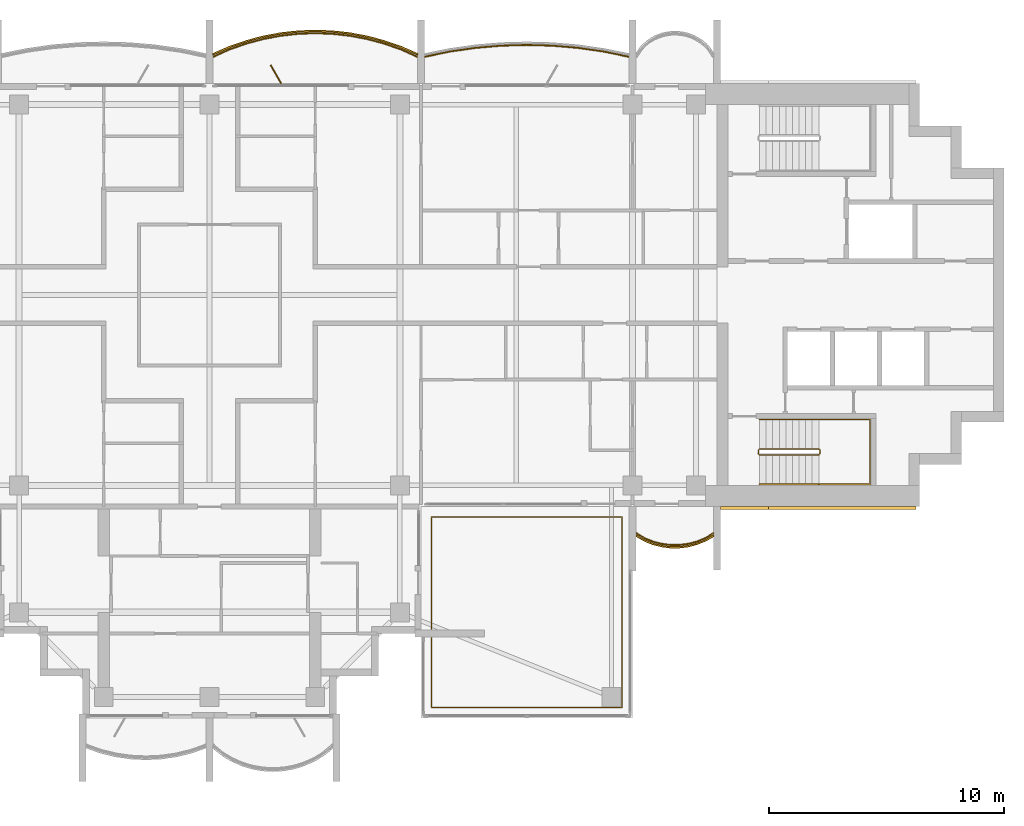
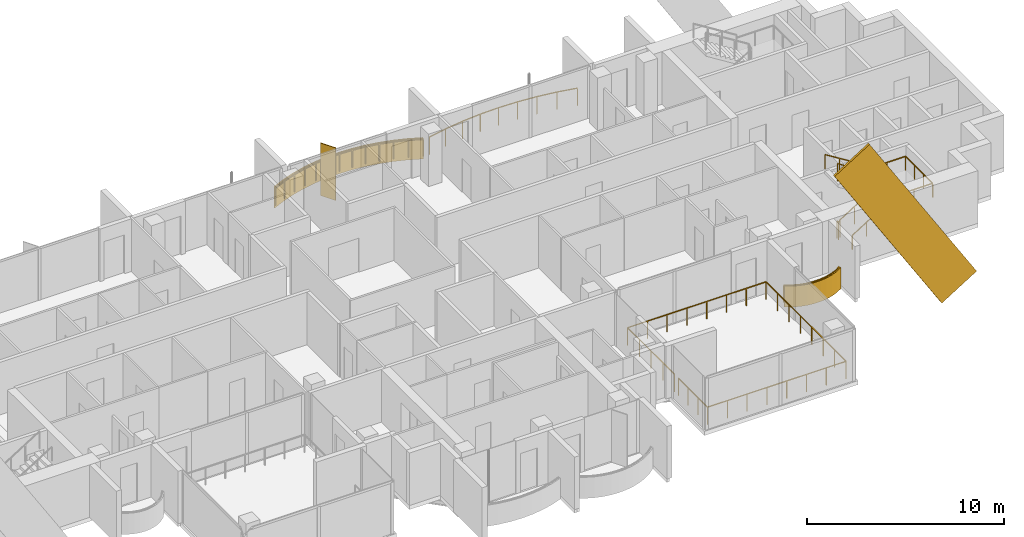
# One storey, part 15 of 16: 6 railings, 3 coverings, 1 shading device.
"""IFC4 building model written with IfcOpenShell, lengths in metres."""

from ifc_helpers import new_model, si_unit, direction, frame, origin, origin_2d, place, context, subcontext, project, spatial, polyline, rectangle, outline, extrude, material, layer, layer_set, material_profile, profile_set, type_object, element, save


model = new_model("IFC4")

# Units and contexts
model_context = context("Model", 3, precision=1e-05, world=origin(), true_north=direction((0.0, 1.0)))
body_context = subcontext(model_context, "Body", "Model", "MODEL_VIEW")
ifc_project = project(units=[si_unit("LENGTHUNIT", "METRE"), si_unit("AREAUNIT", "SQUARE_METRE"), si_unit("VOLUMEUNIT", "CUBIC_METRE"), si_unit("PLANEANGLEUNIT", "RADIAN"), si_unit("MASSUNIT", "GRAM", prefix="KILO")], contexts=[model_context])

# Site, building, storey
site_placement = place(None, origin())
site = spatial("IfcSite", under=ifc_project, at=site_placement, CompositionType="ELEMENT")
building_placement = place(site_placement, origin())
building = spatial("IfcBuilding", under=site, at=building_placement, Name="Perihelion Cross Residences", CompositionType="ELEMENT")
storey_placement = place(building_placement, frame((0.0, 0.0, 260.5)))
storey = spatial("IfcBuildingStorey", under=building, at=storey_placement, Name="L66", CompositionType="ELEMENT", Elevation=260.5)

# Coverings
ifc_material_1 = material(Name="Bronze anodised aluminium", Category="aluminium")
ifc_layer_1 = layer(ifc_material_1, 0.070068359375)
ifc_layer_set_1 = layer_set([ifc_layer_1], Name="Balcony fascia 1300")
covering_type_1 = type_object("IfcCoveringType", Name="Balcony fascia 1300", PredefinedType="CLADDING", material=ifc_layer_set_1)
covering_1_placement = place(storey_placement, frame((0.0, 0.0, -0.199951171875)))
element("IfcCovering", 1, at=covering_1_placement, inside=storey, type_object=covering_type_1, Name="Fascia BF1 L66 north side east bay 1", PredefinedType="CLADDING", context=body_context, shape_type="SweptSolid", body=[
    extrude(outline(polyline([(8.150634765625, 10.582275390625), (7.42041015625, 10.83544921875), (6.690185546875, 11.028076171875), (5.960205078125, 11.1630859375), (5.22998046875, 11.243408203125), (4.5, 11.27001953125), (3.77001953125, 11.243408203125), (3.039794921875, 11.1630859375), (2.309814453125, 11.028076171875), (1.57958984375, 10.83544921875), (0.849365234375, 10.582275390625), (0.14990234375, 10.2763671875), (0.14990234375, 10.199951171875), (0.875, 10.51708984375), (1.60009765625, 10.7685546875), (2.324951171875, 10.959716796875), (3.050048828125, 11.093994140625), (3.77490234375, 11.173583984375), (4.5, 11.199951171875), (5.22509765625, 11.173583984375), (5.949951171875, 11.093994140625), (6.675048828125, 10.959716796875), (7.39990234375, 10.7685546875), (8.125, 10.51708984375), (8.85009765625, 10.199951171875), (8.85009765625, 10.2763671875), (8.150634765625, 10.582275390625)])), origin(), (0.0, 0.0, 1.0), 1.300048828125),
])
covering_2_placement = place(storey_placement, frame((0.0, 0.0, -0.199951171875)))
element("IfcCovering", 2, at=covering_2_placement, inside=storey, type_object=covering_type_1, Name="Fascia BF1 L66 east side south bay 2", PredefinedType="CLADDING", context=body_context, shape_type="SweptSolid", body=[
    extrude(outline(polyline([(18.486328125, -10.4716796875), (18.861572265625, -10.62158203125), (19.237060546875, -10.717529296875), (19.6123046875, -10.76416015625), (19.987548828125, -10.76416015625), (20.363037109375, -10.717529296875), (20.73828125, -10.62158203125), (21.11376953125, -10.4716796875), (21.449951171875, -10.280517578125), (21.449951171875, -10.199951171875), (21.083251953125, -10.40869140625), (20.716552734375, -10.55517578125), (20.35009765625, -10.648681640625), (19.9833984375, -10.6943359375), (19.61669921875, -10.6943359375), (19.25, -10.648681640625), (18.88330078125, -10.55517578125), (18.5166015625, -10.40869140625), (18.14990234375, -10.199951171875), (18.14990234375, -10.280517578125), (18.486328125, -10.4716796875)])), origin(), (0.0, 0.0, 1.0), 1.300048828125),
])

# Railings
ifc_material_2 = material(Name="Bronze anodised aluminium", Category="aluminium")
railing_type_1 = type_object("IfcRailingType", Name="Balcony guard 1100", PredefinedType="GUARDRAIL", material=ifc_material_2)
railing_1_placement = place(storey_placement, frame((17.824951171875, 10.139892578125, 0.0)))
element("IfcRailing", 3, at=railing_1_placement, inside=storey, type_object=railing_type_1, Name="Guard GU1 L66 east side north bay 2 balcony", PredefinedType="GUARDRAIL", context=body_context, shape_type="SweptSolid", body=[
    extrude(rectangle(XDim=0.048095703125, YDim=0.048095703125, at=origin_2d()), frame((0.0, 0.0, 1.076171875), z_axis=(-0.979144816647, 0.203163549961, 0.0), x_axis=(-0.203163549961, -0.979144816647, 0.0)), (0.0, 0.0, 1.0), 1.085205078125),
    extrude(rectangle(XDim=0.048095703125, YDim=0.048095703125, at=origin_2d()), frame((-1.0625, 0.220458984375, 1.076171875), z_axis=(-0.98989608354, 0.141794724135, 0.0), x_axis=(-0.141794724135, -0.98989608354, 0.0)), (0.0, 0.0, 1.0), 1.098388671875),
    extrude(rectangle(XDim=0.048095703125, YDim=0.048095703125, at=origin_2d()), frame((-2.14990234375, 0.376220703125, 1.076171875), z_axis=(-0.996362942492, 0.085210837506, 0.0), x_axis=(-0.085210837506, -0.996362942492, 0.0)), (0.0, 0.0, 1.0), 1.091552734375),
    extrude(rectangle(XDim=0.048095703125, YDim=0.048095703125, at=origin_2d()), frame((-3.237548828125, 0.46923828125, 1.076171875), z_axis=(-0.999600101203, 0.028277865458, 0.0), x_axis=(-0.028277865458, -0.999600101203, 0.0)), (0.0, 0.0, 1.0), 1.087890625),
    extrude(rectangle(XDim=0.048095703125, YDim=0.048095703125, at=origin_2d()), frame((-4.324951171875, 0.5, 1.076171875), z_axis=(-0.999600101203, -0.028277865458, 0.0), x_axis=(0.028277865458, -0.999600101203, 0.0)), (0.0, 0.0, 1.0), 1.087890625),
    extrude(rectangle(XDim=0.048095703125, YDim=0.048095703125, at=origin_2d()), frame((-5.412353515625, 0.46923828125, 1.076171875), z_axis=(-0.996362942492, -0.085210837506, 0.0), x_axis=(0.085210837506, -0.996362942492, 0.0)), (0.0, 0.0, 1.0), 1.091552734375),
    extrude(rectangle(XDim=0.048095703125, YDim=0.048095703125, at=origin_2d()), frame((-6.5, 0.376220703125, 1.076171875), z_axis=(-0.98989608354, -0.141794724135, 0.0), x_axis=(0.141794724135, -0.98989608354, 0.0)), (0.0, 0.0, 1.0), 1.098388671875),
    extrude(rectangle(XDim=0.048095703125, YDim=0.048095703125, at=origin_2d()), frame((-7.58740234375, 0.220458984375, 1.076171875), z_axis=(-0.979144816647, -0.203163549961, 0.0), x_axis=(0.203163549961, -0.979144816647, 0.0)), (0.0, 0.0, 1.0), 1.085205078125),
    extrude(rectangle(XDim=0.0419921875, YDim=0.0419921875, at=origin_2d()), origin(), (0.0, 0.0, 1.0), 1.052001953125),
    extrude(rectangle(XDim=0.0419921875, YDim=0.0419921875, at=origin_2d()), frame((-1.0625, 0.220458984375, 0.0)), (0.0, 0.0, 1.0), 1.052001953125),
    extrude(rectangle(XDim=0.0419921875, YDim=0.0419921875, at=origin_2d()), frame((-2.14990234375, 0.376220703125, 0.0)), (0.0, 0.0, 1.0), 1.052001953125),
    extrude(rectangle(XDim=0.0419921875, YDim=0.0419921875, at=origin_2d()), frame((-3.237548828125, 0.46923828125, 0.0)), (0.0, 0.0, 1.0), 1.052001953125),
    extrude(rectangle(XDim=0.0419921875, YDim=0.0419921875, at=origin_2d()), frame((-4.324951171875, 0.5, 0.0)), (0.0, 0.0, 1.0), 1.052001953125),
    extrude(rectangle(XDim=0.0419921875, YDim=0.0419921875, at=origin_2d()), frame((-5.412353515625, 0.46923828125, 0.0)), (0.0, 0.0, 1.0), 1.052001953125),
    extrude(rectangle(XDim=0.0419921875, YDim=0.0419921875, at=origin_2d()), frame((-6.5, 0.376220703125, 0.0)), (0.0, 0.0, 1.0), 1.052001953125),
    extrude(rectangle(XDim=0.0419921875, YDim=0.0419921875, at=origin_2d()), frame((-7.58740234375, 0.220458984375, 0.0)), (0.0, 0.0, 1.0), 1.052001953125),
    extrude(rectangle(XDim=0.0419921875, YDim=0.0419921875, at=origin_2d()), frame((-8.64990234375, 0.0, 0.0)), (0.0, 0.0, 1.0), 1.052001953125),
])
railing_2_placement = place(storey_placement, frame((8.824951171875, 10.139892578125, 0.0)))
element("IfcRailing", 4, at=railing_2_placement, inside=storey, type_object=railing_type_1, Name="Guard GU1 L66 north side east bay 1 balcony", PredefinedType="GUARDRAIL", context=body_context, shape_type="SweptSolid", body=[
    extrude(rectangle(XDim=0.048095703125, YDim=0.048095703125, at=origin_2d()), frame((0.0, 0.0, 1.076171875), z_axis=(-0.910866309087, 0.412701547089, 0.0), x_axis=(-0.412701547089, -0.910866309087, 0.0)), (0.0, 0.0, 1.0), 0.7685546875),
    extrude(rectangle(XDim=0.048095703125, YDim=0.048095703125, at=origin_2d()), frame((-0.699951171875, 0.317138671875, 1.076171875), z_axis=(-0.944796812452, 0.327656807012, 0.0), x_axis=(-0.327656807012, -0.944796812452, 0.0)), (0.0, 0.0, 1.0), 0.767578125),
    extrude(rectangle(XDim=0.048095703125, YDim=0.048095703125, at=origin_2d()), frame((-1.425048828125, 0.568603515625, 1.076171875), z_axis=(-0.966939404945, 0.255006249266, 0.0), x_axis=(-0.255006249266, -0.966939404945, 0.0)), (0.0, 0.0, 1.0), 0.749755859375),
    extrude(rectangle(XDim=0.048095703125, YDim=0.048095703125, at=origin_2d()), frame((-2.14990234375, 0.759765625, 1.076171875), z_axis=(-0.983282004984, 0.182089260182, 0.0), x_axis=(-0.182089260182, -0.983282004984, 0.0)), (0.0, 0.0, 1.0), 0.7373046875),
    extrude(rectangle(XDim=0.048095703125, YDim=0.048095703125, at=origin_2d()), frame((-2.875, 0.89404296875, 1.076171875), z_axis=(-0.994025805622, 0.109145305703, 0.0), x_axis=(-0.109145305703, -0.994025805622, 0.0)), (0.0, 0.0, 1.0), 0.729248046875),
    extrude(rectangle(XDim=0.048095703125, YDim=0.048095703125, at=origin_2d()), frame((-3.599853515625, 0.9736328125, 1.076171875), z_axis=(-0.999339497946, 0.036339618107, 0.0), x_axis=(-0.036339618107, -0.999339497946, 0.0)), (0.0, 0.0, 1.0), 0.7255859375),
    extrude(rectangle(XDim=0.048095703125, YDim=0.048095703125, at=origin_2d()), frame((-4.324951171875, 1.0, 1.076171875), z_axis=(-0.999339497946, -0.036339618107, 0.0), x_axis=(0.036339618107, -0.999339497946, 0.0)), (0.0, 0.0, 1.0), 0.7255859375),
    extrude(rectangle(XDim=0.048095703125, YDim=0.048095703125, at=origin_2d()), frame((-5.050048828125, 0.9736328125, 1.076171875), z_axis=(-0.994025805622, -0.109145305703, 0.0), x_axis=(0.109145305703, -0.994025805622, 0.0)), (0.0, 0.0, 1.0), 0.729248046875),
    extrude(rectangle(XDim=0.048095703125, YDim=0.048095703125, at=origin_2d()), frame((-5.77490234375, 0.89404296875, 1.076171875), z_axis=(-0.983282004984, -0.182089260182, 0.0), x_axis=(0.182089260182, -0.983282004984, 0.0)), (0.0, 0.0, 1.0), 0.7373046875),
    extrude(rectangle(XDim=0.048095703125, YDim=0.048095703125, at=origin_2d()), frame((-6.5, 0.759765625, 1.076171875), z_axis=(-0.966939404945, -0.255006249266, 0.0), x_axis=(0.255006249266, -0.966939404945, 0.0)), (0.0, 0.0, 1.0), 0.749755859375),
    extrude(rectangle(XDim=0.048095703125, YDim=0.048095703125, at=origin_2d()), frame((-7.224853515625, 0.568603515625, 1.076171875), z_axis=(-0.944796812452, -0.327656807012, 0.0), x_axis=(0.327656807012, -0.944796812452, 0.0)), (0.0, 0.0, 1.0), 0.767578125),
    extrude(rectangle(XDim=0.048095703125, YDim=0.048095703125, at=origin_2d()), frame((-7.949951171875, 0.317138671875, 1.076171875), z_axis=(-0.910866309087, -0.412701547089, 0.0), x_axis=(0.412701547089, -0.910866309087, 0.0)), (0.0, 0.0, 1.0), 0.7685546875),
    extrude(rectangle(XDim=0.0419921875, YDim=0.0419921875, at=origin_2d()), origin(), (0.0, 0.0, 1.0), 1.052001953125),
    extrude(rectangle(XDim=0.0419921875, YDim=0.0419921875, at=origin_2d()), frame((-0.699951171875, 0.317138671875, 0.0)), (0.0, 0.0, 1.0), 1.052001953125),
    extrude(rectangle(XDim=0.0419921875, YDim=0.0419921875, at=origin_2d()), frame((-1.425048828125, 0.568603515625, 0.0)), (0.0, 0.0, 1.0), 1.052001953125),
    extrude(rectangle(XDim=0.0419921875, YDim=0.0419921875, at=origin_2d()), frame((-2.14990234375, 0.759765625, 0.0)), (0.0, 0.0, 1.0), 1.052001953125),
    extrude(rectangle(XDim=0.0419921875, YDim=0.0419921875, at=origin_2d()), frame((-2.875, 0.89404296875, 0.0)), (0.0, 0.0, 1.0), 1.052001953125),
    extrude(rectangle(XDim=0.0419921875, YDim=0.0419921875, at=origin_2d()), frame((-3.599853515625, 0.9736328125, 0.0)), (0.0, 0.0, 1.0), 1.052001953125),
    extrude(rectangle(XDim=0.0419921875, YDim=0.0419921875, at=origin_2d()), frame((-4.324951171875, 1.0, 0.0)), (0.0, 0.0, 1.0), 1.052001953125),
    extrude(rectangle(XDim=0.0419921875, YDim=0.0419921875, at=origin_2d()), frame((-5.050048828125, 0.9736328125, 0.0)), (0.0, 0.0, 1.0), 1.052001953125),
    extrude(rectangle(XDim=0.0419921875, YDim=0.0419921875, at=origin_2d()), frame((-5.77490234375, 0.89404296875, 0.0)), (0.0, 0.0, 1.0), 1.052001953125),
    extrude(rectangle(XDim=0.0419921875, YDim=0.0419921875, at=origin_2d()), frame((-6.5, 0.759765625, 0.0)), (0.0, 0.0, 1.0), 1.052001953125),
    extrude(rectangle(XDim=0.0419921875, YDim=0.0419921875, at=origin_2d()), frame((-7.224853515625, 0.568603515625, 0.0)), (0.0, 0.0, 1.0), 1.052001953125),
    extrude(rectangle(XDim=0.0419921875, YDim=0.0419921875, at=origin_2d()), frame((-7.949951171875, 0.317138671875, 0.0)), (0.0, 0.0, 1.0), 1.052001953125),
    extrude(rectangle(XDim=0.0419921875, YDim=0.0419921875, at=origin_2d()), frame((-8.64990234375, 0.0, 0.0)), (0.0, 0.0, 1.0), 1.052001953125),
])
railing_3_placement = place(storey_placement, frame((18.175048828125, -10.139892578125, 0.0)))
element("IfcRailing", 5, at=railing_3_placement, inside=storey, type_object=railing_type_1, Name="Guard GU1 L66 east side south bay 2 balcony", PredefinedType="GUARDRAIL", context=body_context, shape_type="SweptSolid", body=[
    extrude(rectangle(XDim=0.048095703125, YDim=0.048095703125, at=origin_2d()), frame((0.0, 0.0, 1.076171875), z_axis=(0.853266756821, -0.52147467983, 0.0), x_axis=(0.52147467983, 0.853266756821, 0.0)), (0.0, 0.0, 1.0), 0.400390625),
    extrude(rectangle(XDim=0.048095703125, YDim=0.048095703125, at=origin_2d()), frame((0.341552734375, -0.208740234375, 1.076171875), z_axis=(0.928647151248, -0.37096424151, 0.0), x_axis=(0.37096424151, 0.928647151248, 0.0)), (0.0, 0.0, 1.0), 0.394775390625),
    extrude(rectangle(XDim=0.048095703125, YDim=0.048095703125, at=origin_2d()), frame((0.708251953125, -0.355224609375, 1.076171875), z_axis=(0.968993337782, -0.247086849781, 0.0), x_axis=(0.247086849781, 0.968993337782, 0.0)), (0.0, 0.0, 1.0), 0.37841796875),
    extrude(rectangle(XDim=0.048095703125, YDim=0.048095703125, at=origin_2d()), frame((1.074951171875, -0.44873046875, 1.076171875), z_axis=(0.992338742457, -0.123546834114, 0.0), x_axis=(0.123546834114, 0.992338742457, 0.0)), (0.0, 0.0, 1.0), 0.36962890625),
    extrude(rectangle(XDim=0.048095703125, YDim=0.048095703125, at=origin_2d()), frame((1.441650390625, -0.494384765625, 1.076171875), z_axis=(1.0, 0.0, 0.0), x_axis=(0.0, 1.0, 0.0)), (0.0, 0.0, 1.0), 0.36669921875),
    extrude(rectangle(XDim=0.048095703125, YDim=0.048095703125, at=origin_2d()), frame((1.808349609375, -0.494384765625, 1.076171875), z_axis=(0.992338742457, 0.123546834114, 0.0), x_axis=(-0.123546834114, 0.992338742457, 0.0)), (0.0, 0.0, 1.0), 0.36962890625),
    extrude(rectangle(XDim=0.048095703125, YDim=0.048095703125, at=origin_2d()), frame((2.175048828125, -0.44873046875, 1.076171875), z_axis=(0.968953914071, 0.247241405123, 0.0), x_axis=(-0.247241405123, 0.968953914071, 0.0)), (0.0, 0.0, 1.0), 0.378173828125),
    extrude(rectangle(XDim=0.048095703125, YDim=0.048095703125, at=origin_2d()), frame((2.54150390625, -0.355224609375, 1.076171875), z_axis=(0.928647151248, 0.37096424151, 0.0), x_axis=(-0.37096424151, 0.928647151248, 0.0)), (0.0, 0.0, 1.0), 0.394775390625),
    extrude(rectangle(XDim=0.048095703125, YDim=0.048095703125, at=origin_2d()), frame((2.908203125, -0.208740234375, 1.076171875), z_axis=(0.853432484338, 0.521203410078, 0.0), x_axis=(-0.521203410078, 0.853432484338, 0.0)), (0.0, 0.0, 1.0), 0.400390625),
    extrude(rectangle(XDim=0.0419921875, YDim=0.0419921875, at=origin_2d()), origin(), (0.0, 0.0, 1.0), 1.052001953125),
    extrude(rectangle(XDim=0.0419921875, YDim=0.0419921875, at=origin_2d()), frame((0.341552734375, -0.208740234375, 0.0)), (0.0, 0.0, 1.0), 1.052001953125),
    extrude(rectangle(XDim=0.0419921875, YDim=0.0419921875, at=origin_2d()), frame((0.708251953125, -0.355224609375, 0.0)), (0.0, 0.0, 1.0), 1.052001953125),
    extrude(rectangle(XDim=0.0419921875, YDim=0.0419921875, at=origin_2d()), frame((1.074951171875, -0.44873046875, 0.0)), (0.0, 0.0, 1.0), 1.052001953125),
    extrude(rectangle(XDim=0.0419921875, YDim=0.0419921875, at=origin_2d()), frame((1.441650390625, -0.494384765625, 0.0)), (0.0, 0.0, 1.0), 1.052001953125),
    extrude(rectangle(XDim=0.0419921875, YDim=0.0419921875, at=origin_2d()), frame((1.808349609375, -0.494384765625, 0.0)), (0.0, 0.0, 1.0), 1.052001953125),
    extrude(rectangle(XDim=0.0419921875, YDim=0.0419921875, at=origin_2d()), frame((2.175048828125, -0.44873046875, 0.0)), (0.0, 0.0, 1.0), 1.052001953125),
    extrude(rectangle(XDim=0.0419921875, YDim=0.0419921875, at=origin_2d()), frame((2.54150390625, -0.355224609375, 0.0)), (0.0, 0.0, 1.0), 1.052001953125),
    extrude(rectangle(XDim=0.0419921875, YDim=0.0419921875, at=origin_2d()), frame((2.908203125, -0.208740234375, 0.0)), (0.0, 0.0, 1.0), 1.052001953125),
    extrude(rectangle(XDim=0.0419921875, YDim=0.0419921875, at=origin_2d()), frame((3.25, 0.0, 0.0)), (0.0, 0.0, 1.0), 1.052001953125),
])
railing_4_placement = place(storey_placement, frame((9.449951171875, -14.2099609375, 0.0)))
element("IfcRailing", 6, at=railing_4_placement, inside=storey, type_object=railing_type_1, Name="Guard GU1 L66 pocket south-east 1", PredefinedType="GUARDRAIL", context=body_context, shape_type="SweptSolid", body=[
    extrude(rectangle(XDim=0.048095703125, YDim=0.048095703125, at=origin_2d()), frame((0.0, 0.0, 1.076171875), z_axis=(0.0, 1.0, 0.0), x_axis=(-1.0, 0.0, 0.0)), (0.0, 0.0, 1.0), 4.760009765625),
    extrude(rectangle(XDim=0.048095703125, YDim=0.048095703125, at=origin_2d()), frame((0.0, 4.760009765625, 1.076171875), z_axis=(1.0, 0.0, 0.0), x_axis=(0.0, 1.0, 0.0)), (0.0, 0.0, 1.0), 8.10009765625),
    extrude(rectangle(XDim=0.048095703125, YDim=0.048095703125, at=origin_2d()), frame((8.10009765625, 4.760009765625, 1.076171875), z_axis=(0.0, -1.0, 0.0), x_axis=(1.0, 0.0, 0.0)), (0.0, 0.0, 1.0), 8.10009765625),
    extrude(rectangle(XDim=0.048095703125, YDim=0.048095703125, at=origin_2d()), frame((8.10009765625, -3.340087890625, 1.076171875), z_axis=(-1.0, 0.0, 0.0), x_axis=(0.0, -1.0, 0.0)), (0.0, 0.0, 1.0), 8.10009765625),
    extrude(rectangle(XDim=0.048095703125, YDim=0.048095703125, at=origin_2d()), frame((0.0, -3.340087890625, 1.076171875), z_axis=(0.0, 1.0, 0.0), x_axis=(-1.0, 0.0, 0.0)), (0.0, 0.0, 1.0), 2.9599609375),
    extrude(rectangle(XDim=0.0419921875, YDim=0.0419921875, at=origin_2d()), origin(), (0.0, 0.0, 1.0), 1.052001953125),
    extrude(rectangle(XDim=0.0419921875, YDim=0.0419921875, at=origin_2d()), frame((0.0, 1.18994140625, 0.0)), (0.0, 0.0, 1.0), 1.052001953125),
    extrude(rectangle(XDim=0.0419921875, YDim=0.0419921875, at=origin_2d()), frame((0.0, 2.3798828125, 0.0)), (0.0, 0.0, 1.0), 1.052001953125),
    extrude(rectangle(XDim=0.0419921875, YDim=0.0419921875, at=origin_2d()), frame((0.0, 3.570068359375, 0.0)), (0.0, 0.0, 1.0), 1.052001953125),
    extrude(rectangle(XDim=0.0419921875, YDim=0.0419921875, at=origin_2d()), frame((0.0, 4.760009765625, 0.0)), (0.0, 0.0, 1.0), 1.052001953125),
    extrude(rectangle(XDim=0.0419921875, YDim=0.0419921875, at=origin_2d()), frame((1.1572265625, 4.760009765625, 0.0)), (0.0, 0.0, 1.0), 1.052001953125),
    extrude(rectangle(XDim=0.0419921875, YDim=0.0419921875, at=origin_2d()), frame((2.314208984375, 4.760009765625, 0.0)), (0.0, 0.0, 1.0), 1.052001953125),
    extrude(rectangle(XDim=0.0419921875, YDim=0.0419921875, at=origin_2d()), frame((3.471435546875, 4.760009765625, 0.0)), (0.0, 0.0, 1.0), 1.052001953125),
    extrude(rectangle(XDim=0.0419921875, YDim=0.0419921875, at=origin_2d()), frame((4.628662109375, 4.760009765625, 0.0)), (0.0, 0.0, 1.0), 1.052001953125),
    extrude(rectangle(XDim=0.0419921875, YDim=0.0419921875, at=origin_2d()), frame((5.785888671875, 4.760009765625, 0.0)), (0.0, 0.0, 1.0), 1.052001953125),
    extrude(rectangle(XDim=0.0419921875, YDim=0.0419921875, at=origin_2d()), frame((6.94287109375, 4.760009765625, 0.0)), (0.0, 0.0, 1.0), 1.052001953125),
    extrude(rectangle(XDim=0.0419921875, YDim=0.0419921875, at=origin_2d()), frame((8.10009765625, 4.760009765625, 0.0)), (0.0, 0.0, 1.0), 1.052001953125),
    extrude(rectangle(XDim=0.0419921875, YDim=0.0419921875, at=origin_2d()), frame((8.10009765625, 3.602783203125, 0.0)), (0.0, 0.0, 1.0), 1.052001953125),
    extrude(rectangle(XDim=0.0419921875, YDim=0.0419921875, at=origin_2d()), frame((8.10009765625, 2.44580078125, 0.0)), (0.0, 0.0, 1.0), 1.052001953125),
    extrude(rectangle(XDim=0.0419921875, YDim=0.0419921875, at=origin_2d()), frame((8.10009765625, 1.28857421875, 0.0)), (0.0, 0.0, 1.0), 1.052001953125),
    extrude(rectangle(XDim=0.0419921875, YDim=0.0419921875, at=origin_2d()), frame((8.10009765625, 0.13134765625, 0.0)), (0.0, 0.0, 1.0), 1.052001953125),
    extrude(rectangle(XDim=0.0419921875, YDim=0.0419921875, at=origin_2d()), frame((8.10009765625, -1.02587890625, 0.0)), (0.0, 0.0, 1.0), 1.052001953125),
    extrude(rectangle(XDim=0.0419921875, YDim=0.0419921875, at=origin_2d()), frame((8.10009765625, -2.182861328125, 0.0)), (0.0, 0.0, 1.0), 1.052001953125),
    extrude(rectangle(XDim=0.0419921875, YDim=0.0419921875, at=origin_2d()), frame((8.10009765625, -3.340087890625, 0.0)), (0.0, 0.0, 1.0), 1.052001953125),
    extrude(rectangle(XDim=0.0419921875, YDim=0.0419921875, at=origin_2d()), frame((6.94287109375, -3.340087890625, 0.0)), (0.0, 0.0, 1.0), 1.052001953125),
    extrude(rectangle(XDim=0.0419921875, YDim=0.0419921875, at=origin_2d()), frame((5.785888671875, -3.340087890625, 0.0)), (0.0, 0.0, 1.0), 1.052001953125),
    extrude(rectangle(XDim=0.0419921875, YDim=0.0419921875, at=origin_2d()), frame((4.628662109375, -3.340087890625, 0.0)), (0.0, 0.0, 1.0), 1.052001953125),
    extrude(rectangle(XDim=0.0419921875, YDim=0.0419921875, at=origin_2d()), frame((3.471435546875, -3.340087890625, 0.0)), (0.0, 0.0, 1.0), 1.052001953125),
    extrude(rectangle(XDim=0.0419921875, YDim=0.0419921875, at=origin_2d()), frame((2.314208984375, -3.340087890625, 0.0)), (0.0, 0.0, 1.0), 1.052001953125),
    extrude(rectangle(XDim=0.0419921875, YDim=0.0419921875, at=origin_2d()), frame((1.1572265625, -3.340087890625, 0.0)), (0.0, 0.0, 1.0), 1.052001953125),
    extrude(rectangle(XDim=0.0419921875, YDim=0.0419921875, at=origin_2d()), frame((0.0, -3.340087890625, 0.0)), (0.0, 0.0, 1.0), 1.052001953125),
    extrude(rectangle(XDim=0.0419921875, YDim=0.0419921875, at=origin_2d()), frame((0.0, -2.353515625, 0.0)), (0.0, 0.0, 1.0), 1.052001953125),
    extrude(rectangle(XDim=0.0419921875, YDim=0.0419921875, at=origin_2d()), frame((0.0, -1.36669921875, 0.0)), (0.0, 0.0, 1.0), 1.052001953125),
    extrude(rectangle(XDim=0.0419921875, YDim=0.0419921875, at=origin_2d()), frame((0.0, -0.380126953125, 0.0)), (0.0, 0.0, 1.0), 1.052001953125),
])

# Covering
ifc_material_3 = material(Name="Bronze anodised aluminium", Category="aluminium")
ifc_material_profile = material_profile(ifc_material_3, rectangle(XDim=0.125, YDim=2.39990234375, at=origin_2d()), Name="Bronze cladding band 2400")
ifc_profile_set = profile_set([ifc_material_profile], Name="Bronze anodised aluminium")
covering_type_2 = type_object("IfcCoveringType", Name="Bronze cladding band 2400", PredefinedType="CLADDING", material=ifc_profile_set)
covering_3_placement = place(storey_placement, frame((29.0322265625, -9.0625, -3.47119140625), z_axis=(-0.529915403603, 0.0, 0.848050508534), x_axis=(0.0, -1.0, 0.0)))
element("IfcCovering", 7, at=covering_3_placement, inside=storey, type_object=covering_type_2, Name="Core cladding band, east core", PredefinedType="CLADDING", context=body_context, shape_type="SweptSolid", body=[
    extrude(rectangle(XDim=0.125, YDim=2.39990234375, at=origin_2d()), origin(), (0.0, 0.0, 1.0), 11.822021484375),
])

# Shading device
ifc_material_4 = material(Name="Bronze anodised aluminium", Category="aluminium")
ifc_layer_2 = layer(ifc_material_4, 0.050048828125)
ifc_layer_set_2 = layer_set([ifc_layer_2], Name="Bronze fin 900")
shading_device_type = type_object("IfcShadingDeviceType", Name="Bronze fin 900", PredefinedType="USERDEFINED", material=ifc_layer_set_2)
shading_device_placement = place(storey_placement, frame((2.824951171875, 9.3896484375, 0.0), z_axis=(0.0, 0.0, 1.0), x_axis=(-0.5, 0.866025403784, 0.0)))
element("IfcShadingDevice", 8, at=shading_device_placement, inside=storey, type_object=shading_device_type, Name="Fin FN1 L66 north side east bay 1", ObjectType="FIN", PredefinedType="USERDEFINED", context=body_context, shape_type="SweptSolid", body=[
    extrude(rectangle(XDim=0.89990234375, YDim=0.050048828125, at=origin_2d()), origin(), (0.0, 0.0, 1.0), 3.25),
])

# Railings
ifc_material_5 = material(Name="Stainless steel", Category="steel")
railing_type_2 = type_object("IfcRailingType", Name="Stair guard 1100", PredefinedType="GUARDRAIL", material=ifc_material_5)
railing_5_placement = place(storey_placement, frame((23.35009765625, -6.60009765625, 0.0)))
element("IfcRailing", 9, at=railing_5_placement, inside=storey, type_object=railing_type_2, Name="L66 ST-E2 stair guard 1", PredefinedType="GUARDRAIL", context=body_context, shape_type="SweptSolid", body=[
    extrude(rectangle(XDim=0.048095703125, YDim=0.048095703125, at=origin_2d()), frame((0.0, 0.0, 1.076171875), z_axis=(0.0, -1.0, 0.0), x_axis=(1.0, 0.0, 0.0)), (0.0, 0.0, 1.0), 0.14990234375),
    extrude(rectangle(XDim=0.048095703125, YDim=0.048095703125, at=origin_2d()), frame((0.0, -0.14990234375, 1.076171875), z_axis=(0.263862480399, -0.265155923931, 0.927399011991), x_axis=(0.708833529934, 0.705375805398, 0.0)), (0.0, 0.0, 1.0), 0.188720703125),
    extrude(rectangle(XDim=0.048095703125, YDim=0.048095703125, at=origin_2d()), frame((0.0498046875, -0.199951171875, 1.2509765625), z_axis=(0.848007534815, 0.0, 0.529984170421), x_axis=(0.0, 1.0, 0.0)), (0.0, 0.0, 1.0), 2.9716796875),
    extrude(rectangle(XDim=0.048095703125, YDim=0.048095703125, at=origin_2d()), frame((2.56982421875, -0.199951171875, 2.826171875), z_axis=(0.707106781187, 0.707106781187, 0.0), x_axis=(-0.707106781187, 0.707106781187, 0.0)), (0.0, 0.0, 1.0), 0.07080078125),
    extrude(rectangle(XDim=0.048095703125, YDim=0.048095703125, at=origin_2d()), frame((2.619873046875, -0.14990234375, 2.826171875), z_axis=(0.0, 1.0, 0.0), x_axis=(-1.0, 0.0, 0.0)), (0.0, 0.0, 1.0), 0.14990234375),
    extrude(rectangle(XDim=0.048095703125, YDim=0.048095703125, at=origin_2d()), frame((2.619873046875, 0.0, 2.826171875), z_axis=(-0.265065253269, 0.265065253269, 0.927081885822), x_axis=(-0.707106781187, -0.707106781187, 0.0)), (0.0, 0.0, 1.0), 0.188720703125),
    extrude(rectangle(XDim=0.048095703125, YDim=0.048095703125, at=origin_2d()), frame((2.56982421875, 0.050048828125, 3.0009765625), z_axis=(-0.848007534815, 0.0, 0.529984170421), x_axis=(0.0, -1.0, 0.0)), (0.0, 0.0, 1.0), 2.9716796875),
    extrude(rectangle(XDim=0.0419921875, YDim=0.0419921875, at=origin_2d()), origin(), (0.0, 0.0, 1.0), 1.052001953125),
    extrude(rectangle(XDim=0.0419921875, YDim=0.0419921875, at=origin_2d()), frame((0.0, -0.14990234375, 0.0)), (0.0, 0.0, 1.0), 1.052001953125),
    extrude(rectangle(XDim=0.0419921875, YDim=0.0419921875, at=origin_2d()), frame((0.0498046875, -0.199951171875, 0.175048828125)), (0.0, 0.0, 1.0), 1.052001953125),
    extrude(rectangle(XDim=0.0419921875, YDim=0.0419921875, at=origin_2d()), frame((0.889892578125, -0.199951171875, 0.699951171875)), (0.0, 0.0, 1.0), 1.052001953125),
    extrude(rectangle(XDim=0.0419921875, YDim=0.0419921875, at=origin_2d()), frame((1.729736328125, -0.199951171875, 1.22509765625)), (0.0, 0.0, 1.0), 1.052001953125),
    extrude(rectangle(XDim=0.0419921875, YDim=0.0419921875, at=origin_2d()), frame((2.56982421875, -0.199951171875, 1.75)), (0.0, 0.0, 1.0), 1.052001953125),
    extrude(rectangle(XDim=0.0419921875, YDim=0.0419921875, at=origin_2d()), frame((2.619873046875, -0.14990234375, 1.75)), (0.0, 0.0, 1.0), 1.052001953125),
    extrude(rectangle(XDim=0.0419921875, YDim=0.0419921875, at=origin_2d()), frame((2.619873046875, 0.0, 1.75)), (0.0, 0.0, 1.0), 1.052001953125),
    extrude(rectangle(XDim=0.0419921875, YDim=0.0419921875, at=origin_2d()), frame((2.56982421875, 0.050048828125, 1.925048828125)), (0.0, 0.0, 1.0), 1.052001953125),
    extrude(rectangle(XDim=0.0419921875, YDim=0.0419921875, at=origin_2d()), frame((1.729736328125, 0.050048828125, 2.449951171875)), (0.0, 0.0, 1.0), 1.052001953125),
    extrude(rectangle(XDim=0.0419921875, YDim=0.0419921875, at=origin_2d()), frame((0.889892578125, 0.050048828125, 2.97509765625)), (0.0, 0.0, 1.0), 1.052001953125),
    extrude(rectangle(XDim=0.0419921875, YDim=0.0419921875, at=origin_2d()), frame((0.0498046875, 0.050048828125, 3.5)), (0.0, 0.0, 1.0), 1.052001953125),
])
ifc_material_6 = material(Name="Stainless steel", Category="steel")
railing_type_3 = type_object("IfcRailingType", Name="Stair handrail 900", PredefinedType="HANDRAIL", material=ifc_material_6)
railing_6_placement = place(storey_placement, frame((23.39990234375, -8.050048828125, 0.175048828125)))
element("IfcRailing", 10, at=railing_6_placement, inside=storey, type_object=railing_type_3, Name="L66 ST-E2 stair handrail 1", PredefinedType="HANDRAIL", context=body_context, shape_type="SweptSolid", body=[
    extrude(rectangle(XDim=0.048095703125, YDim=0.048095703125, at=origin_2d()), frame((0.0, 0.0, 0.8759765625), z_axis=(0.848007534815, 0.0, 0.529984170421), x_axis=(0.0, 1.0, 0.0)), (0.0, 0.0, 1.0), 2.9716796875),
    extrude(rectangle(XDim=0.048095703125, YDim=0.048095703125, at=origin_2d()), frame((2.52001953125, 0.0, 2.45068359375), z_axis=(1.0, 0.0, 0.0), x_axis=(0.0, 1.0, 0.0)), (0.0, 0.0, 1.0), 2.18017578125),
    extrude(rectangle(XDim=0.048095703125, YDim=0.048095703125, at=origin_2d()), frame((4.7001953125, 0.0, 2.45068359375), z_axis=(0.0, 1.0, 0.0), x_axis=(-1.0, 0.0, 0.0)), (0.0, 0.0, 1.0), 2.75),
    extrude(rectangle(XDim=0.048095703125, YDim=0.048095703125, at=origin_2d()), frame((4.7001953125, 2.75, 2.45068359375), z_axis=(-1.0, 0.0, 0.0), x_axis=(0.0, -1.0, 0.0)), (0.0, 0.0, 1.0), 2.18017578125),
    extrude(rectangle(XDim=0.048095703125, YDim=0.048095703125, at=origin_2d()), frame((2.52001953125, 2.75, 2.45068359375), z_axis=(0.0, 0.0, 1.0), x_axis=(1.0, 0.0, 0.0)), (0.0, 0.0, 1.0), 0.175048828125),
    extrude(rectangle(XDim=0.048095703125, YDim=0.048095703125, at=origin_2d()), frame((2.52001953125, 2.75, 2.6259765625), z_axis=(-0.848007534815, 0.0, 0.529984170421), x_axis=(0.0, -1.0, 0.0)), (0.0, 0.0, 1.0), 2.9716796875),
    extrude(rectangle(XDim=0.0419921875, YDim=0.0419921875, at=origin_2d()), origin(), (0.0, 0.0, 1.0), 0.851806640625),
    extrude(rectangle(XDim=0.0419921875, YDim=0.0419921875, at=origin_2d()), frame((0.840087890625, 0.0, 0.52490234375)), (0.0, 0.0, 1.0), 0.851806640625),
    extrude(rectangle(XDim=0.0419921875, YDim=0.0419921875, at=origin_2d()), frame((1.679931640625, 0.0, 1.050048828125)), (0.0, 0.0, 1.0), 0.851806640625),
    extrude(rectangle(XDim=0.0419921875, YDim=0.0419921875, at=origin_2d()), frame((2.52001953125, 0.0, 1.574951171875)), (0.0, 0.0, 1.0), 0.851806640625),
    extrude(rectangle(XDim=0.0419921875, YDim=0.0419921875, at=origin_2d()), frame((3.610107421875, 0.0, 1.574951171875)), (0.0, 0.0, 1.0), 0.851806640625),
    extrude(rectangle(XDim=0.0419921875, YDim=0.0419921875, at=origin_2d()), frame((4.7001953125, 0.0, 1.574951171875)), (0.0, 0.0, 1.0), 0.851806640625),
    extrude(rectangle(XDim=0.0419921875, YDim=0.0419921875, at=origin_2d()), frame((4.7001953125, 0.916748046875, 1.574951171875)), (0.0, 0.0, 1.0), 0.851806640625),
    extrude(rectangle(XDim=0.0419921875, YDim=0.0419921875, at=origin_2d()), frame((4.7001953125, 1.833251953125, 1.574951171875)), (0.0, 0.0, 1.0), 0.851806640625),
    extrude(rectangle(XDim=0.0419921875, YDim=0.0419921875, at=origin_2d()), frame((4.7001953125, 2.75, 1.574951171875)), (0.0, 0.0, 1.0), 0.851806640625),
    extrude(rectangle(XDim=0.0419921875, YDim=0.0419921875, at=origin_2d()), frame((3.610107421875, 2.75, 1.574951171875)), (0.0, 0.0, 1.0), 0.851806640625),
    extrude(rectangle(XDim=0.0419921875, YDim=0.0419921875, at=origin_2d()), frame((2.52001953125, 2.75, 1.574951171875)), (0.0, 0.0, 1.0), 0.851806640625),
    extrude(rectangle(XDim=0.0419921875, YDim=0.0419921875, at=origin_2d()), frame((2.52001953125, 2.75, 1.75)), (0.0, 0.0, 1.0), 0.851806640625),
    extrude(rectangle(XDim=0.0419921875, YDim=0.0419921875, at=origin_2d()), frame((1.679931640625, 2.75, 2.27490234375)), (0.0, 0.0, 1.0), 0.851806640625),
    extrude(rectangle(XDim=0.0419921875, YDim=0.0419921875, at=origin_2d()), frame((0.840087890625, 2.75, 2.800048828125)), (0.0, 0.0, 1.0), 0.851806640625),
    extrude(rectangle(XDim=0.0419921875, YDim=0.0419921875, at=origin_2d()), frame((0.0, 2.75, 3.324951171875)), (0.0, 0.0, 1.0), 0.851806640625),
])

save(model, "model.ifc")
